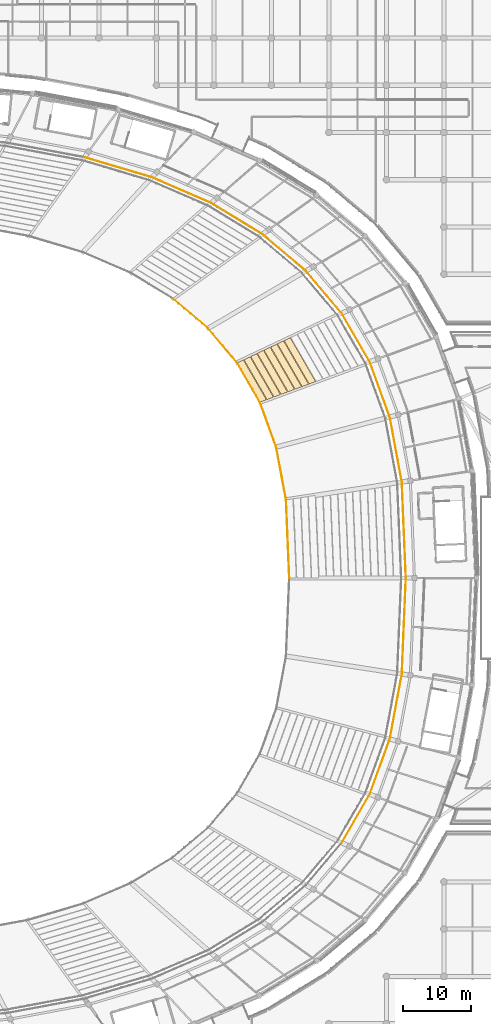
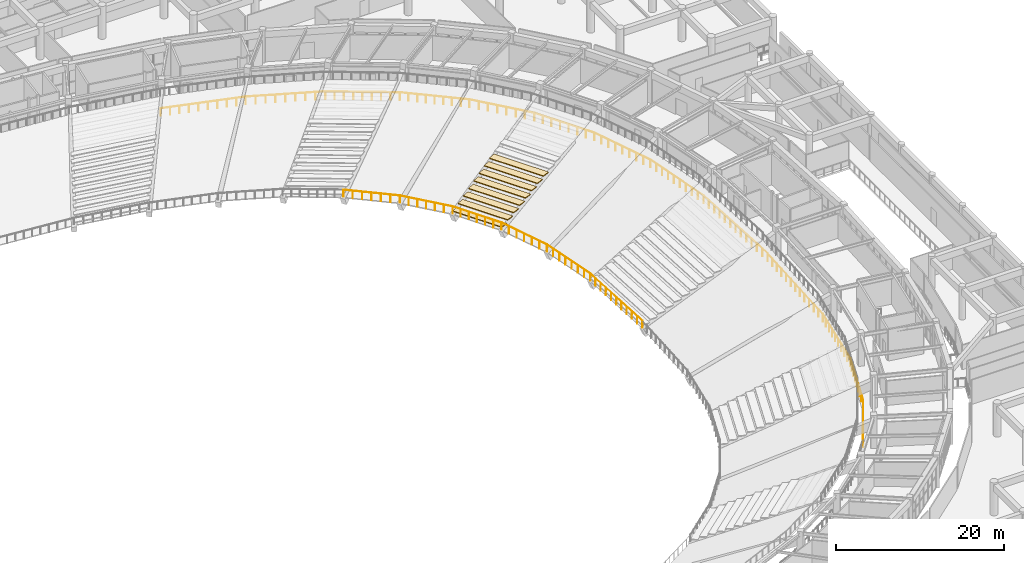
# One storey, part 127 of 137: 8 coverings, 3 railings.
"""IFC4 building model written with IfcOpenShell, lengths in metres."""

from ifc_helpers import new_model, si_unit, direction, frame, origin, origin_2d, place, context, subcontext, project, spatial, polyline, circle, outline, extrude, material, layer, layer_set, type_object, element, save


model = new_model("IFC4")

# Units and contexts
model_context = context("Model", 3, precision=1e-05, world=origin(), true_north=direction((0.0, 1.0)))
body_context = subcontext(model_context, "Body", "Model", "MODEL_VIEW")
ifc_project = project(units=[si_unit("LENGTHUNIT", "METRE"), si_unit("AREAUNIT", "SQUARE_METRE"), si_unit("VOLUMEUNIT", "CUBIC_METRE"), si_unit("PLANEANGLEUNIT", "RADIAN"), si_unit("MASSUNIT", "GRAM", prefix="KILO")], contexts=[model_context])

# Site, building, storey
site_placement = place(None, origin())
site = spatial("IfcSite", under=ifc_project, at=site_placement, CompositionType="ELEMENT")
building_placement = place(site_placement, origin())
building = spatial("IfcBuilding", under=site, at=building_placement, Name="Mphavela Belvedere Stadium", CompositionType="ELEMENT")
storey_placement = place(building_placement, frame((0.0, 0.0, 19.199951171875)))
storey = spatial("IfcBuildingStorey", under=building, at=storey_placement, Name="L04", CompositionType="ELEMENT", Elevation=19.199951171875)

# Coverings
ifc_material_1 = material(Name="Precast seating row terrazzo finish", Category="concrete")
ifc_layer = layer(ifc_material_1, 0.1201171875)
ifc_layer_set = layer_set([ifc_layer], Name="Precast seating row terrazzo finish")
covering_type = type_object("IfcCoveringType", Name="COV-SEAT-ROW-U", PredefinedType="FLOORING", material=ifc_layer_set)
covering_1_placement = place(storey_placement, frame((0.0, 0.0, -3.4033203125)))
element("IfcCovering", 1, at=covering_1_placement, inside=storey, type_object=covering_type, Name="Upper stand seating row bench B04-R01", PredefinedType="FLOORING", context=body_context, shape_type="SweptSolid", body=[
    extrude(outline(polyline([(185.72314453125, 113.0546875), (182.3544921875, 118.881103515625), (183.26708984375, 119.31298828125), (186.681396484375, 113.407958984375), (185.72314453125, 113.0546875)])), origin(), (0.0, 0.0, 1.0), 0.1201171875),
])
covering_2_placement = place(storey_placement, frame((0.0, 0.0, -2.936767578125)))
element("IfcCovering", 2, at=covering_2_placement, inside=storey, type_object=covering_type, Name="Upper stand seating row bench B04-R02", PredefinedType="FLOORING", context=body_context, shape_type="SweptSolid", body=[
    extrude(outline(polyline([(186.764892578125, 113.438720703125), (183.346435546875, 119.3505859375), (184.259033203125, 119.78271484375), (187.72314453125, 113.79150390625), (186.764892578125, 113.438720703125)])), origin(), (0.0, 0.0, 1.0), 0.1201171875),
])
covering_3_placement = place(storey_placement, frame((0.0, 0.0, -2.469970703125)))
element("IfcCovering", 3, at=covering_3_placement, inside=storey, type_object=covering_type, Name="Upper stand seating row bench B04-R03", PredefinedType="FLOORING", context=body_context, shape_type="SweptSolid", body=[
    extrude(outline(polyline([(187.806396484375, 113.822265625), (184.33837890625, 119.8203125), (185.251220703125, 120.252197265625), (188.764892578125, 114.17529296875), (187.806396484375, 113.822265625)])), origin(), (0.0, 0.0, 1.0), 0.1201171875),
])
covering_4_placement = place(storey_placement, frame((0.0, 0.0, -2.003173828125)))
element("IfcCovering", 4, at=covering_4_placement, inside=storey, type_object=covering_type, Name="Upper stand seating row bench B04-R04", PredefinedType="FLOORING", context=body_context, shape_type="SweptSolid", body=[
    extrude(outline(polyline([(188.84814453125, 114.2060546875), (185.33056640625, 120.289794921875), (186.2431640625, 120.7216796875), (189.806396484375, 114.55908203125), (188.84814453125, 114.2060546875)])), origin(), (0.0, 0.0, 1.0), 0.119873046875),
])
covering_5_placement = place(storey_placement, frame((0.0, 0.0, -1.53662109375)))
element("IfcCovering", 5, at=covering_5_placement, inside=storey, type_object=covering_type, Name="Upper stand seating row bench B04-R05", PredefinedType="FLOORING", context=body_context, shape_type="SweptSolid", body=[
    extrude(outline(polyline([(189.889892578125, 114.58984375), (186.322509765625, 120.759521484375), (187.235107421875, 121.19140625), (190.84814453125, 114.94287109375), (189.889892578125, 114.58984375)])), origin(), (0.0, 0.0, 1.0), 0.119873046875),
])
covering_6_placement = place(storey_placement, frame((0.0, 0.0, -1.070068359375)))
element("IfcCovering", 6, at=covering_6_placement, inside=storey, type_object=covering_type, Name="Upper stand seating row bench B04-R06", PredefinedType="FLOORING", context=body_context, shape_type="SweptSolid", body=[
    extrude(outline(polyline([(190.931396484375, 114.9736328125), (187.314697265625, 121.22900390625), (188.227294921875, 121.660888671875), (191.889892578125, 115.32666015625), (190.931396484375, 114.9736328125)])), origin(), (0.0, 0.0, 1.0), 0.1201171875),
])
covering_7_placement = place(storey_placement, frame((0.0, 0.0, -0.603271484375)))
element("IfcCovering", 7, at=covering_7_placement, inside=storey, type_object=covering_type, Name="Upper stand seating row bench B04-R07", PredefinedType="FLOORING", context=body_context, shape_type="SweptSolid", body=[
    extrude(outline(polyline([(191.97314453125, 115.357421875), (188.306640625, 121.698486328125), (189.21923828125, 122.130615234375), (192.931396484375, 115.71044921875), (191.97314453125, 115.357421875)])), origin(), (0.0, 0.0, 1.0), 0.1201171875),
])
covering_8_placement = place(storey_placement, frame((0.0, 0.0, -0.13671875)))
element("IfcCovering", 8, at=covering_8_placement, inside=storey, type_object=covering_type, Name="Upper stand seating row bench B04-R08", PredefinedType="FLOORING", context=body_context, shape_type="SweptSolid", body=[
    extrude(outline(polyline([(193.014892578125, 115.7412109375), (189.298583984375, 122.168212890625), (190.21142578125, 122.60009765625), (193.97314453125, 116.093994140625), (193.014892578125, 115.7412109375)])), origin(), (0.0, 0.0, 1.0), 0.1201171875),
])

# Railings
ifc_material_2 = material(Name="Bronze and laminated glass stadium balustrade", Category="glass")
railing_type = type_object("IfcRailingType", Name="RAL-BALUSTRADE-1120", PredefinedType="BALUSTRADE", material=ifc_material_2)
railing_1_placement = place(storey_placement, frame((190.077880859375, 87.0, -3.75)))
element("IfcRailing", 9, at=railing_1_placement, inside=storey, type_object=railing_type, Name="Bowl safety balustrade t2_front S1", PredefinedType="BALUSTRADE", context=body_context, shape_type="SweptSolid", body=[
    extrude(circle(Radius=0.02392578125, at=origin_2d()), frame((0.0, 0.0, 1.09619140625), z_axis=(-0.04189186986, 0.99912215031, 0.0), x_axis=(-0.99912215031, -0.04189186986, 0.0)), (0.0, 0.0, 1.0), 11.580078125),
    extrude(circle(Radius=0.02392578125, at=origin_2d()), frame((-0.485107421875, 11.56982421875, 1.09619140625), z_axis=(-0.18262523239, 0.983182599772, 0.0), x_axis=(-0.983182599772, -0.18262523239, 0.0)), (0.0, 0.0, 1.0), 7.95947265625),
    extrude(circle(Radius=0.02392578125, at=origin_2d()), frame((-1.938720703125, 19.3955078125, 1.09619140625), z_axis=(-0.341056708776, 0.940042723178, 0.0), x_axis=(-0.940042723178, -0.341056708776, 0.0)), (0.0, 0.0, 1.0), 7.083984375),
    extrude(circle(Radius=0.02392578125, at=origin_2d()), frame((-4.354736328125, 26.0546875, 1.09619140625), z_axis=(-0.500531411911, 0.865718375507, 0.0), x_axis=(-0.865718375507, -0.500531411911, 0.0)), (0.0, 0.0, 1.0), 6.730224609375),
    extrude(circle(Radius=0.02392578125, at=origin_2d()), frame((-7.723388671875, 31.881103515625, 1.09619140625), z_axis=(-0.645180343886, 0.764030316063, 0.0), x_axis=(-0.764030316063, -0.645180343886, 0.0)), (0.0, 0.0, 1.0), 6.682373046875),
    extrude(circle(Radius=0.02392578125, at=origin_2d()), frame((-12.03466796875, 36.986572265625, 1.09619140625), z_axis=(-0.764246549785, 0.644924190229, 0.0), x_axis=(-0.644924190229, -0.764246549785, 0.0)), (0.0, 0.0, 1.0), 6.862548828125),
    extrude(circle(Radius=0.02099609375, at=origin_2d()), origin(), (0.0, 0.0, 1.0), 1.072021484375),
    extrude(circle(Radius=0.02099609375, at=origin_2d()), frame((-0.048583984375, 1.156982421875, 0.0)), (0.0, 0.0, 1.0), 1.072021484375),
    extrude(circle(Radius=0.02099609375, at=origin_2d()), frame((-0.096923828125, 2.31396484375, 0.0)), (0.0, 0.0, 1.0), 1.072021484375),
    extrude(circle(Radius=0.02099609375, at=origin_2d()), frame((-0.1455078125, 3.470947265625, 0.0)), (0.0, 0.0, 1.0), 1.072021484375),
    extrude(circle(Radius=0.02099609375, at=origin_2d()), frame((-0.194091796875, 4.6279296875, 0.0)), (0.0, 0.0, 1.0), 1.072021484375),
    extrude(circle(Radius=0.02099609375, at=origin_2d()), frame((-0.24267578125, 5.784912109375, 0.0)), (0.0, 0.0, 1.0), 1.072021484375),
    extrude(circle(Radius=0.02099609375, at=origin_2d()), frame((-0.291015625, 6.94189453125, 0.0)), (0.0, 0.0, 1.0), 1.072021484375),
    extrude(circle(Radius=0.02099609375, at=origin_2d()), frame((-0.339599609375, 8.098876953125, 0.0)), (0.0, 0.0, 1.0), 1.072021484375),
    extrude(circle(Radius=0.02099609375, at=origin_2d()), frame((-0.38818359375, 9.255859375, 0.0)), (0.0, 0.0, 1.0), 1.072021484375),
    extrude(circle(Radius=0.02099609375, at=origin_2d()), frame((-0.4365234375, 10.412841796875, 0.0)), (0.0, 0.0, 1.0), 1.072021484375),
    extrude(circle(Radius=0.02099609375, at=origin_2d()), frame((-0.485107421875, 11.56982421875, 0.0)), (0.0, 0.0, 1.0), 1.072021484375),
    extrude(circle(Radius=0.02099609375, at=origin_2d()), frame((-0.69287109375, 12.687744140625, 0.0)), (0.0, 0.0, 1.0), 1.072021484375),
    extrude(circle(Radius=0.02099609375, at=origin_2d()), frame((-0.900390625, 13.8056640625, 0.0)), (0.0, 0.0, 1.0), 1.072021484375),
    extrude(circle(Radius=0.02099609375, at=origin_2d()), frame((-1.108154296875, 14.923583984375, 0.0)), (0.0, 0.0, 1.0), 1.072021484375),
    extrude(circle(Radius=0.02099609375, at=origin_2d()), frame((-1.315673828125, 16.041748046875, 0.0)), (0.0, 0.0, 1.0), 1.072021484375),
    extrude(circle(Radius=0.02099609375, at=origin_2d()), frame((-1.5234375, 17.15966796875, 0.0)), (0.0, 0.0, 1.0), 1.072021484375),
    extrude(circle(Radius=0.02099609375, at=origin_2d()), frame((-1.73095703125, 18.277587890625, 0.0)), (0.0, 0.0, 1.0), 1.072021484375),
    extrude(circle(Radius=0.02099609375, at=origin_2d()), frame((-1.938720703125, 19.3955078125, 0.0)), (0.0, 0.0, 1.0), 1.072021484375),
    extrude(circle(Radius=0.02099609375, at=origin_2d()), frame((-2.34130859375, 20.50537109375, 0.0)), (0.0, 0.0, 1.0), 1.072021484375),
    extrude(circle(Radius=0.02099609375, at=origin_2d()), frame((-2.744140625, 21.615234375, 0.0)), (0.0, 0.0, 1.0), 1.072021484375),
    extrude(circle(Radius=0.02099609375, at=origin_2d()), frame((-3.146728515625, 22.72509765625, 0.0)), (0.0, 0.0, 1.0), 1.072021484375),
    extrude(circle(Radius=0.02099609375, at=origin_2d()), frame((-3.54931640625, 23.8349609375, 0.0)), (0.0, 0.0, 1.0), 1.072021484375),
    extrude(circle(Radius=0.02099609375, at=origin_2d()), frame((-3.9521484375, 24.94482421875, 0.0)), (0.0, 0.0, 1.0), 1.072021484375),
    extrude(circle(Radius=0.02099609375, at=origin_2d()), frame((-4.354736328125, 26.0546875, 0.0)), (0.0, 0.0, 1.0), 1.072021484375),
    extrude(circle(Radius=0.02099609375, at=origin_2d()), frame((-4.916259765625, 27.02587890625, 0.0)), (0.0, 0.0, 1.0), 1.072021484375),
    extrude(circle(Radius=0.02099609375, at=origin_2d()), frame((-5.4775390625, 27.996826171875, 0.0)), (0.0, 0.0, 1.0), 1.072021484375),
    extrude(circle(Radius=0.02099609375, at=origin_2d()), frame((-6.0390625, 28.9677734375, 0.0)), (0.0, 0.0, 1.0), 1.072021484375),
    extrude(circle(Radius=0.02099609375, at=origin_2d()), frame((-6.6005859375, 29.93896484375, 0.0)), (0.0, 0.0, 1.0), 1.072021484375),
    extrude(circle(Radius=0.02099609375, at=origin_2d()), frame((-7.161865234375, 30.91015625, 0.0)), (0.0, 0.0, 1.0), 1.072021484375),
    extrude(circle(Radius=0.02099609375, at=origin_2d()), frame((-7.723388671875, 31.881103515625, 0.0)), (0.0, 0.0, 1.0), 1.072021484375),
    extrude(circle(Radius=0.02099609375, at=origin_2d()), frame((-8.44189453125, 32.73193359375, 0.0)), (0.0, 0.0, 1.0), 1.072021484375),
    extrude(circle(Radius=0.02099609375, at=origin_2d()), frame((-9.160400390625, 33.5830078125, 0.0)), (0.0, 0.0, 1.0), 1.072021484375),
    extrude(circle(Radius=0.02099609375, at=origin_2d()), frame((-9.87890625, 34.433837890625, 0.0)), (0.0, 0.0, 1.0), 1.072021484375),
    extrude(circle(Radius=0.02099609375, at=origin_2d()), frame((-10.59765625, 35.28466796875, 0.0)), (0.0, 0.0, 1.0), 1.072021484375),
    extrude(circle(Radius=0.02099609375, at=origin_2d()), frame((-11.316162109375, 36.1357421875, 0.0)), (0.0, 0.0, 1.0), 1.072021484375),
    extrude(circle(Radius=0.02099609375, at=origin_2d()), frame((-12.03466796875, 36.986572265625, 0.0)), (0.0, 0.0, 1.0), 1.072021484375),
    extrude(circle(Radius=0.02099609375, at=origin_2d()), frame((-12.90869140625, 37.72412109375, 0.0)), (0.0, 0.0, 1.0), 1.072021484375),
    extrude(circle(Radius=0.02099609375, at=origin_2d()), frame((-13.782958984375, 38.4619140625, 0.0)), (0.0, 0.0, 1.0), 1.072021484375),
    extrude(circle(Radius=0.02099609375, at=origin_2d()), frame((-14.656982421875, 39.199462890625, 0.0)), (0.0, 0.0, 1.0), 1.072021484375),
    extrude(circle(Radius=0.02099609375, at=origin_2d()), frame((-15.531005859375, 39.93701171875, 0.0)), (0.0, 0.0, 1.0), 1.072021484375),
    extrude(circle(Radius=0.02099609375, at=origin_2d()), frame((-16.4052734375, 40.6748046875, 0.0)), (0.0, 0.0, 1.0), 1.072021484375),
    extrude(circle(Radius=0.02099609375, at=origin_2d()), frame((-17.279296875, 41.412353515625, 0.0)), (0.0, 0.0, 1.0), 1.072021484375),
])
railing_2_placement = place(storey_placement, frame((207.343994140625, 87.0, 0.0)))
element("IfcRailing", 10, at=railing_2_placement, inside=storey, type_object=railing_type, Name="Upper bowl concourse balustrade L04-G1", PredefinedType="BALUSTRADE", context=body_context, shape_type="SweptSolid", body=[
    extrude(circle(Radius=0.02392578125, at=origin_2d()), frame((0.0, 0.0, 1.09619140625), z_axis=(-0.04190931169, 0.999121418844, 0.0), x_axis=(-0.999121418844, -0.04190931169, 0.0)), (0.0, 0.0, 1.0), 14.2431640625),
    extrude(circle(Radius=0.02392578125, at=origin_2d()), frame((-0.596923828125, 14.230712890625, 1.09619140625), z_axis=(-0.182616988572, 0.983184131018, 0.0), x_axis=(-0.983184131018, -0.182616988572, 0.0)), (0.0, 0.0, 1.0), 9.7900390625),
    extrude(circle(Radius=0.02392578125, at=origin_2d()), frame((-2.384765625, 23.856201171875, 1.09619140625), z_axis=(-0.341043262174, 0.940047601628, 0.0), x_axis=(-0.940047601628, -0.341043262174, 0.0)), (0.0, 0.0, 1.0), 8.712890625),
    extrude(circle(Radius=0.02392578125, at=origin_2d()), frame((-5.356201171875, 32.046630859375, 1.09619140625), z_axis=(-0.50055372044, 0.865705477026, 0.0), x_axis=(-0.865705477026, -0.50055372044, 0.0)), (0.0, 0.0, 1.0), 8.27783203125),
    extrude(circle(Radius=0.02392578125, at=origin_2d()), frame((-9.499755859375, 39.212890625, 1.09619140625), z_axis=(-0.645166946233, 0.764041629421, 0.0), x_axis=(-0.764041629421, -0.645166946233, 0.0)), (0.0, 0.0, 1.0), 8.21923828125),
    extrude(circle(Radius=0.02392578125, at=origin_2d()), frame((-14.802490234375, 45.49267578125, 1.09619140625), z_axis=(-0.764268762632, 0.644897866693, 0.0), x_axis=(-0.644897866693, -0.764268762632, 0.0)), (0.0, 0.0, 1.0), 8.440673828125),
    extrude(circle(Radius=0.02392578125, at=origin_2d()), frame((-21.25341796875, 50.93603515625, 1.09619140625), z_axis=(-0.85432046282, 0.519746617889, 0.0), x_axis=(-0.519746617889, -0.85432046282, 0.0)), (0.0, 0.0, 1.0), 8.892822265625),
    extrude(circle(Radius=0.02392578125, at=origin_2d()), frame((-28.850830078125, 55.55810546875, 1.09619140625), z_axis=(-0.917501847377, 0.39773151756, 0.0), x_axis=(-0.39773151756, -0.917501847377, 0.0)), (0.0, 0.0, 1.0), 9.552490234375),
    extrude(circle(Radius=0.02392578125, at=origin_2d()), frame((-37.615234375, 59.357421875, 1.09619140625), z_axis=(-0.958653749155, 0.284575102972, 0.0), x_axis=(-0.284575102972, -0.958653749155, 0.0)), (0.0, 0.0, 1.0), 10.43310546875),
    extrude(circle(Radius=0.02099609375, at=origin_2d()), origin(), (0.0, 0.0, 1.0), 1.072021484375),
    extrude(circle(Radius=0.02099609375, at=origin_2d()), frame((-0.0498046875, 1.185791015625, 0.0)), (0.0, 0.0, 1.0), 1.072021484375),
    extrude(circle(Radius=0.02099609375, at=origin_2d()), frame((-0.099609375, 2.371826171875, 0.0)), (0.0, 0.0, 1.0), 1.072021484375),
    extrude(circle(Radius=0.02099609375, at=origin_2d()), frame((-0.149169921875, 3.5576171875, 0.0)), (0.0, 0.0, 1.0), 1.072021484375),
    extrude(circle(Radius=0.02099609375, at=origin_2d()), frame((-0.198974609375, 4.74365234375, 0.0)), (0.0, 0.0, 1.0), 1.072021484375),
    extrude(circle(Radius=0.02099609375, at=origin_2d()), frame((-0.248779296875, 5.929443359375, 0.0)), (0.0, 0.0, 1.0), 1.072021484375),
    extrude(circle(Radius=0.02099609375, at=origin_2d()), frame((-0.29833984375, 7.115234375, 0.0)), (0.0, 0.0, 1.0), 1.072021484375),
    extrude(circle(Radius=0.02099609375, at=origin_2d()), frame((-0.34814453125, 8.30126953125, 0.0)), (0.0, 0.0, 1.0), 1.072021484375),
    extrude(circle(Radius=0.02099609375, at=origin_2d()), frame((-0.39794921875, 9.487060546875, 0.0)), (0.0, 0.0, 1.0), 1.072021484375),
    extrude(circle(Radius=0.02099609375, at=origin_2d()), frame((-0.44775390625, 10.673095703125, 0.0)), (0.0, 0.0, 1.0), 1.072021484375),
    extrude(circle(Radius=0.02099609375, at=origin_2d()), frame((-0.49755859375, 11.85888671875, 0.0)), (0.0, 0.0, 1.0), 1.072021484375),
    extrude(circle(Radius=0.02099609375, at=origin_2d()), frame((-0.547119140625, 13.044921875, 0.0)), (0.0, 0.0, 1.0), 1.072021484375),
    extrude(circle(Radius=0.02099609375, at=origin_2d()), frame((-0.596923828125, 14.230712890625, 0.0)), (0.0, 0.0, 1.0), 1.072021484375),
    extrude(circle(Radius=0.02099609375, at=origin_2d()), frame((-0.795654296875, 15.30029296875, 0.0)), (0.0, 0.0, 1.0), 1.072021484375),
    extrude(circle(Radius=0.02099609375, at=origin_2d()), frame((-0.994140625, 16.36962890625, 0.0)), (0.0, 0.0, 1.0), 1.072021484375),
    extrude(circle(Radius=0.02099609375, at=origin_2d()), frame((-1.19287109375, 17.439208984375, 0.0)), (0.0, 0.0, 1.0), 1.072021484375),
    extrude(circle(Radius=0.02099609375, at=origin_2d()), frame((-1.3916015625, 18.5087890625, 0.0)), (0.0, 0.0, 1.0), 1.072021484375),
    extrude(circle(Radius=0.02099609375, at=origin_2d()), frame((-1.590087890625, 19.578125, 0.0)), (0.0, 0.0, 1.0), 1.072021484375),
    extrude(circle(Radius=0.02099609375, at=origin_2d()), frame((-1.788818359375, 20.647705078125, 0.0)), (0.0, 0.0, 1.0), 1.072021484375),
    extrude(circle(Radius=0.02099609375, at=origin_2d()), frame((-1.987548828125, 21.71728515625, 0.0)), (0.0, 0.0, 1.0), 1.072021484375),
    extrude(circle(Radius=0.02099609375, at=origin_2d()), frame((-2.18603515625, 22.78662109375, 0.0)), (0.0, 0.0, 1.0), 1.072021484375),
    extrude(circle(Radius=0.02099609375, at=origin_2d()), frame((-2.384765625, 23.856201171875, 0.0)), (0.0, 0.0, 1.0), 1.072021484375),
    extrude(circle(Radius=0.02099609375, at=origin_2d()), frame((-2.756103515625, 24.8798828125, 0.0)), (0.0, 0.0, 1.0), 1.072021484375),
    extrude(circle(Radius=0.02099609375, at=origin_2d()), frame((-3.127685546875, 25.90380859375, 0.0)), (0.0, 0.0, 1.0), 1.072021484375),
    extrude(circle(Radius=0.02099609375, at=origin_2d()), frame((-3.4990234375, 26.927734375, 0.0)), (0.0, 0.0, 1.0), 1.072021484375),
    extrude(circle(Radius=0.02099609375, at=origin_2d()), frame((-3.87060546875, 27.951416015625, 0.0)), (0.0, 0.0, 1.0), 1.072021484375),
    extrude(circle(Radius=0.02099609375, at=origin_2d()), frame((-4.241943359375, 28.97509765625, 0.0)), (0.0, 0.0, 1.0), 1.072021484375),
    extrude(circle(Radius=0.02099609375, at=origin_2d()), frame((-4.61328125, 29.9990234375, 0.0)), (0.0, 0.0, 1.0), 1.072021484375),
    extrude(circle(Radius=0.02099609375, at=origin_2d()), frame((-4.98486328125, 31.02294921875, 0.0)), (0.0, 0.0, 1.0), 1.072021484375),
    extrude(circle(Radius=0.02099609375, at=origin_2d()), frame((-5.356201171875, 32.046630859375, 0.0)), (0.0, 0.0, 1.0), 1.072021484375),
    extrude(circle(Radius=0.02099609375, at=origin_2d()), frame((-5.9482421875, 33.0703125, 0.0)), (0.0, 0.0, 1.0), 1.072021484375),
    extrude(circle(Radius=0.02099609375, at=origin_2d()), frame((-6.5400390625, 34.09423828125, 0.0)), (0.0, 0.0, 1.0), 1.072021484375),
    extrude(circle(Radius=0.02099609375, at=origin_2d()), frame((-7.132080078125, 35.117919921875, 0.0)), (0.0, 0.0, 1.0), 1.072021484375),
    extrude(circle(Radius=0.02099609375, at=origin_2d()), frame((-7.723876953125, 36.1416015625, 0.0)), (0.0, 0.0, 1.0), 1.072021484375),
    extrude(circle(Radius=0.02099609375, at=origin_2d()), frame((-8.31591796875, 37.165283203125, 0.0)), (0.0, 0.0, 1.0), 1.072021484375),
    extrude(circle(Radius=0.02099609375, at=origin_2d()), frame((-8.90771484375, 38.189208984375, 0.0)), (0.0, 0.0, 1.0), 1.072021484375),
    extrude(circle(Radius=0.02099609375, at=origin_2d()), frame((-9.499755859375, 39.212890625, 0.0)), (0.0, 0.0, 1.0), 1.072021484375),
    extrude(circle(Radius=0.02099609375, at=origin_2d()), frame((-10.25732421875, 40.110107421875, 0.0)), (0.0, 0.0, 1.0), 1.072021484375),
    extrude(circle(Radius=0.02099609375, at=origin_2d()), frame((-11.014892578125, 41.007080078125, 0.0)), (0.0, 0.0, 1.0), 1.072021484375),
    extrude(circle(Radius=0.02099609375, at=origin_2d()), frame((-11.7724609375, 41.904296875, 0.0)), (0.0, 0.0, 1.0), 1.072021484375),
    extrude(circle(Radius=0.02099609375, at=origin_2d()), frame((-12.52978515625, 42.80126953125, 0.0)), (0.0, 0.0, 1.0), 1.072021484375),
    extrude(circle(Radius=0.02099609375, at=origin_2d()), frame((-13.287353515625, 43.698486328125, 0.0)), (0.0, 0.0, 1.0), 1.072021484375),
    extrude(circle(Radius=0.02099609375, at=origin_2d()), frame((-14.044921875, 44.595458984375, 0.0)), (0.0, 0.0, 1.0), 1.072021484375),
    extrude(circle(Radius=0.02099609375, at=origin_2d()), frame((-14.802490234375, 45.49267578125, 0.0)), (0.0, 0.0, 1.0), 1.072021484375),
    extrude(circle(Radius=0.02099609375, at=origin_2d()), frame((-15.60888671875, 46.173095703125, 0.0)), (0.0, 0.0, 1.0), 1.072021484375),
    extrude(circle(Radius=0.02099609375, at=origin_2d()), frame((-16.415283203125, 46.853515625, 0.0)), (0.0, 0.0, 1.0), 1.072021484375),
    extrude(circle(Radius=0.02099609375, at=origin_2d()), frame((-17.2216796875, 47.533935546875, 0.0)), (0.0, 0.0, 1.0), 1.072021484375),
    extrude(circle(Radius=0.02099609375, at=origin_2d()), frame((-18.02783203125, 48.21435546875, 0.0)), (0.0, 0.0, 1.0), 1.072021484375),
    extrude(circle(Radius=0.02099609375, at=origin_2d()), frame((-18.834228515625, 48.894775390625, 0.0)), (0.0, 0.0, 1.0), 1.072021484375),
    extrude(circle(Radius=0.02099609375, at=origin_2d()), frame((-19.640625, 49.5751953125, 0.0)), (0.0, 0.0, 1.0), 1.072021484375),
    extrude(circle(Radius=0.02099609375, at=origin_2d()), frame((-20.447021484375, 50.255615234375, 0.0)), (0.0, 0.0, 1.0), 1.072021484375),
    extrude(circle(Radius=0.02099609375, at=origin_2d()), frame((-21.25341796875, 50.93603515625, 0.0)), (0.0, 0.0, 1.0), 1.072021484375),
    extrude(circle(Radius=0.02099609375, at=origin_2d()), frame((-22.203125, 51.513671875, 0.0)), (0.0, 0.0, 1.0), 1.072021484375),
    extrude(circle(Radius=0.02099609375, at=origin_2d()), frame((-23.15283203125, 52.091552734375, 0.0)), (0.0, 0.0, 1.0), 1.072021484375),
    extrude(circle(Radius=0.02099609375, at=origin_2d()), frame((-24.1025390625, 52.66943359375, 0.0)), (0.0, 0.0, 1.0), 1.072021484375),
    extrude(circle(Radius=0.02099609375, at=origin_2d()), frame((-25.05224609375, 53.2470703125, 0.0)), (0.0, 0.0, 1.0), 1.072021484375),
    extrude(circle(Radius=0.02099609375, at=origin_2d()), frame((-26.001708984375, 53.82470703125, 0.0)), (0.0, 0.0, 1.0), 1.072021484375),
    extrude(circle(Radius=0.02099609375, at=origin_2d()), frame((-26.951416015625, 54.402587890625, 0.0)), (0.0, 0.0, 1.0), 1.072021484375),
    extrude(circle(Radius=0.02099609375, at=origin_2d()), frame((-27.901123046875, 54.98046875, 0.0)), (0.0, 0.0, 1.0), 1.072021484375),
    extrude(circle(Radius=0.02099609375, at=origin_2d()), frame((-28.850830078125, 55.55810546875, 0.0)), (0.0, 0.0, 1.0), 1.072021484375),
    extrude(circle(Radius=0.02099609375, at=origin_2d()), frame((-29.9462890625, 56.032958984375, 0.0)), (0.0, 0.0, 1.0), 1.072021484375),
    extrude(circle(Radius=0.02099609375, at=origin_2d()), frame((-31.0419921875, 56.5078125, 0.0)), (0.0, 0.0, 1.0), 1.072021484375),
    extrude(circle(Radius=0.02099609375, at=origin_2d()), frame((-32.137451171875, 56.98291015625, 0.0)), (0.0, 0.0, 1.0), 1.072021484375),
    extrude(circle(Radius=0.02099609375, at=origin_2d()), frame((-33.23291015625, 57.457763671875, 0.0)), (0.0, 0.0, 1.0), 1.072021484375),
    extrude(circle(Radius=0.02099609375, at=origin_2d()), frame((-34.32861328125, 57.9326171875, 0.0)), (0.0, 0.0, 1.0), 1.072021484375),
    extrude(circle(Radius=0.02099609375, at=origin_2d()), frame((-35.424072265625, 58.40771484375, 0.0)), (0.0, 0.0, 1.0), 1.072021484375),
    extrude(circle(Radius=0.02099609375, at=origin_2d()), frame((-36.519775390625, 58.882568359375, 0.0)), (0.0, 0.0, 1.0), 1.072021484375),
    extrude(circle(Radius=0.02099609375, at=origin_2d()), frame((-37.615234375, 59.357421875, 0.0)), (0.0, 0.0, 1.0), 1.072021484375),
    extrude(circle(Radius=0.02099609375, at=origin_2d()), frame((-38.7265625, 59.687255859375, 0.0)), (0.0, 0.0, 1.0), 1.072021484375),
    extrude(circle(Radius=0.02099609375, at=origin_2d()), frame((-39.837890625, 60.01708984375, 0.0)), (0.0, 0.0, 1.0), 1.072021484375),
    extrude(circle(Radius=0.02099609375, at=origin_2d()), frame((-40.94921875, 60.34716796875, 0.0)), (0.0, 0.0, 1.0), 1.072021484375),
    extrude(circle(Radius=0.02099609375, at=origin_2d()), frame((-42.060546875, 60.677001953125, 0.0)), (0.0, 0.0, 1.0), 1.072021484375),
    extrude(circle(Radius=0.02099609375, at=origin_2d()), frame((-43.171630859375, 61.0068359375, 0.0)), (0.0, 0.0, 1.0), 1.072021484375),
    extrude(circle(Radius=0.02099609375, at=origin_2d()), frame((-44.282958984375, 61.336669921875, 0.0)), (0.0, 0.0, 1.0), 1.072021484375),
    extrude(circle(Radius=0.02099609375, at=origin_2d()), frame((-45.394287109375, 61.666748046875, 0.0)), (0.0, 0.0, 1.0), 1.072021484375),
    extrude(circle(Radius=0.02099609375, at=origin_2d()), frame((-46.505615234375, 61.99658203125, 0.0)), (0.0, 0.0, 1.0), 1.072021484375),
    extrude(circle(Radius=0.02099609375, at=origin_2d()), frame((-47.616943359375, 62.326416015625, 0.0)), (0.0, 0.0, 1.0), 1.072021484375),
])
railing_3_placement = place(storey_placement, frame((197.84423828125, 47.787109375, 0.0)))
element("IfcRailing", 11, at=railing_3_placement, inside=storey, type_object=railing_type, Name="Upper bowl concourse balustrade L04-G6", PredefinedType="BALUSTRADE", context=body_context, shape_type="SweptSolid", body=[
    extrude(circle(Radius=0.02392578125, at=origin_2d()), frame((0.0, 0.0, 1.09619140625), z_axis=(0.50055372044, 0.865705477026, 0.0), x_axis=(-0.865705477026, 0.50055372044, 0.0)), (0.0, 0.0, 1.0), 8.27783203125),
    extrude(circle(Radius=0.02392578125, at=origin_2d()), frame((4.1435546875, 7.166259765625, 1.09619140625), z_axis=(0.341043262174, 0.940047601628, 0.0), x_axis=(-0.940047601628, 0.341043262174, 0.0)), (0.0, 0.0, 1.0), 8.712890625),
    extrude(circle(Radius=0.02392578125, at=origin_2d()), frame((7.114990234375, 15.356689453125, 1.09619140625), z_axis=(0.182616988572, 0.983184131018, 0.0), x_axis=(-0.983184131018, 0.182616988572, 0.0)), (0.0, 0.0, 1.0), 9.7900390625),
    extrude(circle(Radius=0.02392578125, at=origin_2d()), frame((8.90283203125, 24.982177734375, 1.09619140625), z_axis=(0.04190931169, 0.999121418844, 0.0), x_axis=(-0.999121418844, 0.04190931169, 0.0)), (0.0, 0.0, 1.0), 14.2431640625),
    extrude(circle(Radius=0.02099609375, at=origin_2d()), origin(), (0.0, 0.0, 1.0), 1.072021484375),
    extrude(circle(Radius=0.02099609375, at=origin_2d()), frame((0.592041015625, 1.023681640625, 0.0)), (0.0, 0.0, 1.0), 1.072021484375),
    extrude(circle(Radius=0.02099609375, at=origin_2d()), frame((1.183837890625, 2.047607421875, 0.0)), (0.0, 0.0, 1.0), 1.072021484375),
    extrude(circle(Radius=0.02099609375, at=origin_2d()), frame((1.77587890625, 3.0712890625, 0.0)), (0.0, 0.0, 1.0), 1.072021484375),
    extrude(circle(Radius=0.02099609375, at=origin_2d()), frame((2.36767578125, 4.094970703125, 0.0)), (0.0, 0.0, 1.0), 1.072021484375),
    extrude(circle(Radius=0.02099609375, at=origin_2d()), frame((2.959716796875, 5.11865234375, 0.0)), (0.0, 0.0, 1.0), 1.072021484375),
    extrude(circle(Radius=0.02099609375, at=origin_2d()), frame((3.551513671875, 6.142578125, 0.0)), (0.0, 0.0, 1.0), 1.072021484375),
    extrude(circle(Radius=0.02099609375, at=origin_2d()), frame((4.1435546875, 7.166259765625, 0.0)), (0.0, 0.0, 1.0), 1.072021484375),
    extrude(circle(Radius=0.02099609375, at=origin_2d()), frame((4.514892578125, 8.18994140625, 0.0)), (0.0, 0.0, 1.0), 1.072021484375),
    extrude(circle(Radius=0.02099609375, at=origin_2d()), frame((4.886474609375, 9.2138671875, 0.0)), (0.0, 0.0, 1.0), 1.072021484375),
    extrude(circle(Radius=0.02099609375, at=origin_2d()), frame((5.2578125, 10.23779296875, 0.0)), (0.0, 0.0, 1.0), 1.072021484375),
    extrude(circle(Radius=0.02099609375, at=origin_2d()), frame((5.62939453125, 11.261474609375, 0.0)), (0.0, 0.0, 1.0), 1.072021484375),
    extrude(circle(Radius=0.02099609375, at=origin_2d()), frame((6.000732421875, 12.28515625, 0.0)), (0.0, 0.0, 1.0), 1.072021484375),
    extrude(circle(Radius=0.02099609375, at=origin_2d()), frame((6.3720703125, 13.30908203125, 0.0)), (0.0, 0.0, 1.0), 1.072021484375),
    extrude(circle(Radius=0.02099609375, at=origin_2d()), frame((6.74365234375, 14.3330078125, 0.0)), (0.0, 0.0, 1.0), 1.072021484375),
    extrude(circle(Radius=0.02099609375, at=origin_2d()), frame((7.114990234375, 15.356689453125, 0.0)), (0.0, 0.0, 1.0), 1.072021484375),
    extrude(circle(Radius=0.02099609375, at=origin_2d()), frame((7.313720703125, 16.42626953125, 0.0)), (0.0, 0.0, 1.0), 1.072021484375),
    extrude(circle(Radius=0.02099609375, at=origin_2d()), frame((7.51220703125, 17.49560546875, 0.0)), (0.0, 0.0, 1.0), 1.072021484375),
    extrude(circle(Radius=0.02099609375, at=origin_2d()), frame((7.7109375, 18.565185546875, 0.0)), (0.0, 0.0, 1.0), 1.072021484375),
    extrude(circle(Radius=0.02099609375, at=origin_2d()), frame((7.90966796875, 19.634765625, 0.0)), (0.0, 0.0, 1.0), 1.072021484375),
    extrude(circle(Radius=0.02099609375, at=origin_2d()), frame((8.108154296875, 20.7041015625, 0.0)), (0.0, 0.0, 1.0), 1.072021484375),
    extrude(circle(Radius=0.02099609375, at=origin_2d()), frame((8.306884765625, 21.773681640625, 0.0)), (0.0, 0.0, 1.0), 1.072021484375),
    extrude(circle(Radius=0.02099609375, at=origin_2d()), frame((8.505615234375, 22.84326171875, 0.0)), (0.0, 0.0, 1.0), 1.072021484375),
    extrude(circle(Radius=0.02099609375, at=origin_2d()), frame((8.7041015625, 23.91259765625, 0.0)), (0.0, 0.0, 1.0), 1.072021484375),
    extrude(circle(Radius=0.02099609375, at=origin_2d()), frame((8.90283203125, 24.982177734375, 0.0)), (0.0, 0.0, 1.0), 1.072021484375),
    extrude(circle(Radius=0.02099609375, at=origin_2d()), frame((8.95263671875, 26.16796875, 0.0)), (0.0, 0.0, 1.0), 1.072021484375),
    extrude(circle(Radius=0.02099609375, at=origin_2d()), frame((9.00244140625, 27.35400390625, 0.0)), (0.0, 0.0, 1.0), 1.072021484375),
    extrude(circle(Radius=0.02099609375, at=origin_2d()), frame((9.052001953125, 28.539794921875, 0.0)), (0.0, 0.0, 1.0), 1.072021484375),
    extrude(circle(Radius=0.02099609375, at=origin_2d()), frame((9.101806640625, 29.725830078125, 0.0)), (0.0, 0.0, 1.0), 1.072021484375),
    extrude(circle(Radius=0.02099609375, at=origin_2d()), frame((9.151611328125, 30.91162109375, 0.0)), (0.0, 0.0, 1.0), 1.072021484375),
    extrude(circle(Radius=0.02099609375, at=origin_2d()), frame((9.201171875, 32.09765625, 0.0)), (0.0, 0.0, 1.0), 1.072021484375),
    extrude(circle(Radius=0.02099609375, at=origin_2d()), frame((9.2509765625, 33.283447265625, 0.0)), (0.0, 0.0, 1.0), 1.072021484375),
    extrude(circle(Radius=0.02099609375, at=origin_2d()), frame((9.30078125, 34.46923828125, 0.0)), (0.0, 0.0, 1.0), 1.072021484375),
    extrude(circle(Radius=0.02099609375, at=origin_2d()), frame((9.3505859375, 35.6552734375, 0.0)), (0.0, 0.0, 1.0), 1.072021484375),
    extrude(circle(Radius=0.02099609375, at=origin_2d()), frame((9.400390625, 36.841064453125, 0.0)), (0.0, 0.0, 1.0), 1.072021484375),
    extrude(circle(Radius=0.02099609375, at=origin_2d()), frame((9.449951171875, 38.027099609375, 0.0)), (0.0, 0.0, 1.0), 1.072021484375),
    extrude(circle(Radius=0.02099609375, at=origin_2d()), frame((9.499755859375, 39.212890625, 0.0)), (0.0, 0.0, 1.0), 1.072021484375),
])

save(model, "model.ifc")
